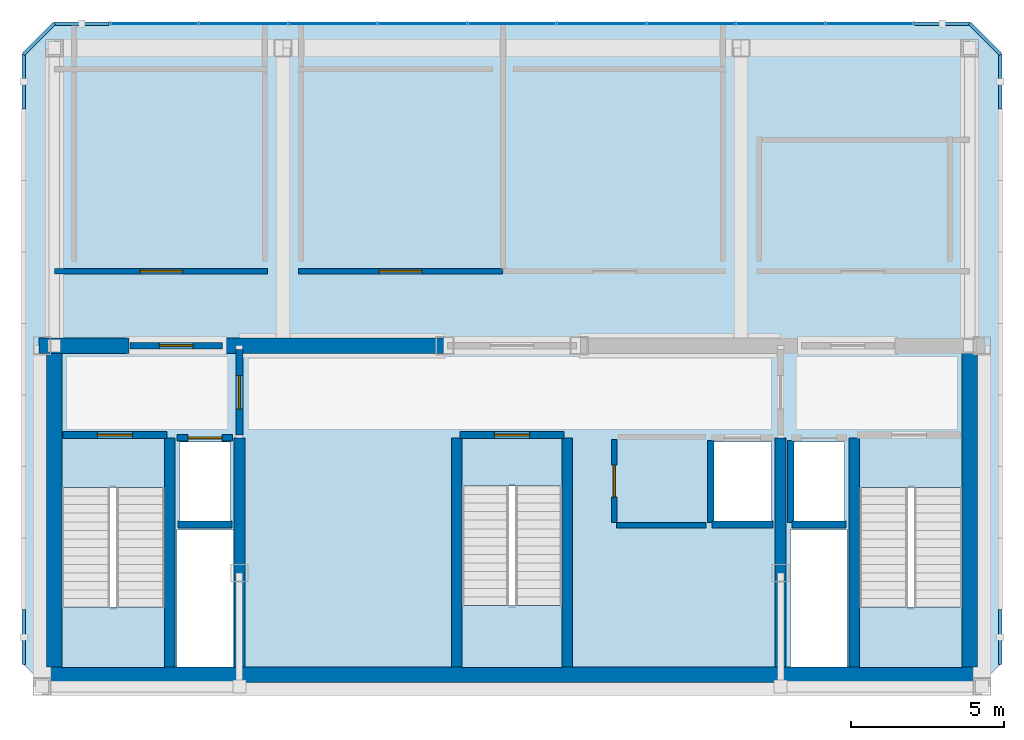
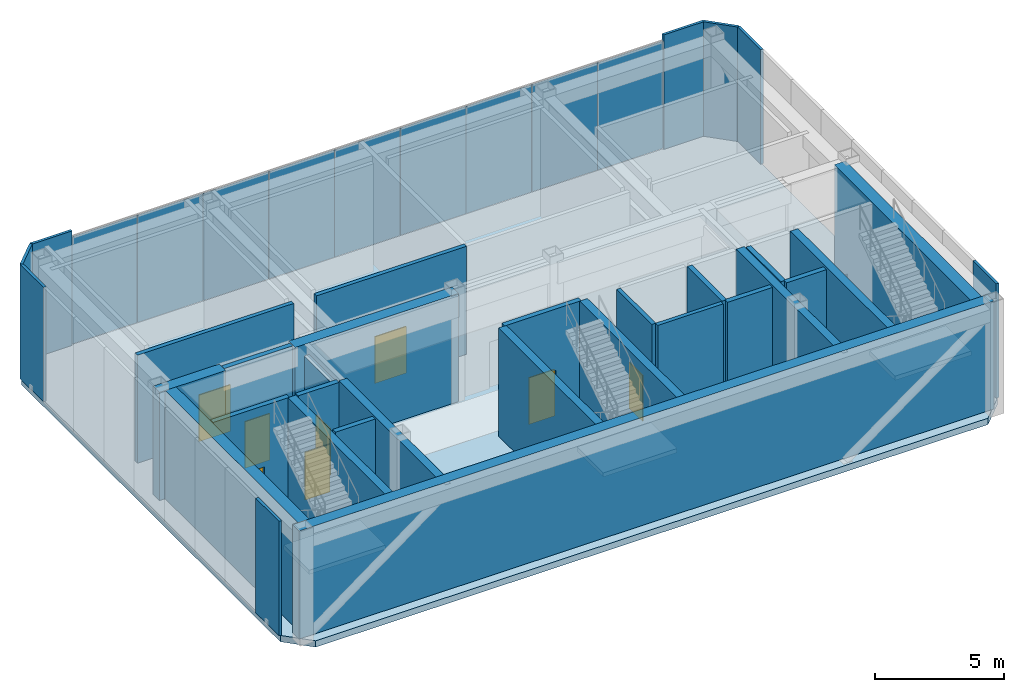
# One storey, part 7 of 10: 25 walls, 17 plates, 8 doors, 4 slabs, 8 openings, 4 elements without a shape of their own.
"""IFC4 building model written with IfcOpenShell, lengths in metres."""

from ifc_helpers import new_model, si_unit, direction, frame, frame_2d, origin, origin_2d, place, context, subcontext, project, spatial, polyline, rectangle, outline, extrude, material, layer, layer_set, type_object, element, fill, aggregate, save


model = new_model("IFC4")

# Units and contexts
model_context = context("Model", 3, precision=1e-05, world=origin(), true_north=direction((0.0, 1.0)))
body_context = subcontext(model_context, "Body", "Model", "MODEL_VIEW")
ifc_project = project(units=[si_unit("LENGTHUNIT", "METRE"), si_unit("AREAUNIT", "SQUARE_METRE"), si_unit("VOLUMEUNIT", "CUBIC_METRE"), si_unit("PLANEANGLEUNIT", "RADIAN"), si_unit("MASSUNIT", "GRAM", prefix="KILO")], contexts=[model_context])

# Site, building, storey
site_placement = place(None, origin())
site = spatial("IfcSite", under=ifc_project, at=site_placement, CompositionType="ELEMENT")
building_placement = place(site_placement, origin())
building = spatial("IfcBuilding", under=site, at=building_placement, Name="Ventersveld Concourse Tower", CompositionType="ELEMENT")
storey_placement = place(building_placement, frame((0.0, 0.0, 382.85009765625)))
storey = spatial("IfcBuildingStorey", under=building, at=storey_placement, Name="L93", CompositionType="ELEMENT", Elevation=382.85009765625)

# Curtain wall, plates
ifc_material_1 = material(Name="Anodised aluminium EN AW-6063-T6", Category="aluminium")
curtain_wall_type = type_object("IfcCurtainWallType", Name="CW-CRN-6", PredefinedType="NOTDEFINED", material=ifc_material_1)
curtain_wall_placement = place(storey_placement, origin())
curtain_wall = element("IfcCurtainWall", 1, at=curtain_wall_placement, inside=storey, type_object=curtain_wall_type, Name="L93 L93 Crown North Glazed Curtain Wall", PredefinedType="NOTDEFINED")
ifc_material_2 = material(Name="Low-E double glazing IGU", Category="glass")
ifc_layer_1 = layer(ifc_material_2, 0.02392578125)
ifc_layer_set_1 = layer_set([ifc_layer_1], Name="Low-E double glazing IGU")
plate_type_1 = type_object("IfcPlateType", Name="CWP-GLZ-24", PredefinedType="CURTAIN_PANEL", material=ifc_layer_set_1)
plate_1_placement = place(storey_placement, frame((40.4833984375, 22.0, 0.019775390625), z_axis=(0.0, 0.0, 1.0), x_axis=(-1.0, 0.0, 0.0)))
plate_1 = element("IfcPlate", 2, at=plate_1_placement, type_object=plate_type_1, Name="CW-L93-N Glazed Panel 01-1", PredefinedType="CURTAIN_PANEL", context=body_context, shape_type="SweptSolid", body=[
    extrude(rectangle(XDim=2.92333984375, YDim=0.02392578125, at=origin_2d()), origin(), (0.0, 0.0, 1.0), 5.06005859375),
])
plate_2_placement = place(storey_placement, frame((37.550048828125, 22.0, 0.019775390625), z_axis=(0.0, 0.0, 1.0), x_axis=(-1.0, 0.0, 0.0)))
plate_2 = element("IfcPlate", 3, at=plate_2_placement, type_object=plate_type_1, Name="CW-L93-N Glazed Panel 02-1", PredefinedType="CURTAIN_PANEL", context=body_context, shape_type="SweptSolid", body=[
    extrude(rectangle(XDim=2.92333984375, YDim=0.02392578125, at=origin_2d()), origin(), (0.0, 0.0, 1.0), 5.06005859375),
])
plate_3_placement = place(storey_placement, frame((34.61669921875, 22.0, 0.019775390625), z_axis=(0.0, 0.0, 1.0), x_axis=(-1.0, 0.0, 0.0)))
plate_3 = element("IfcPlate", 4, at=plate_3_placement, type_object=plate_type_1, Name="CW-L93-N Glazed Panel 03-1", PredefinedType="CURTAIN_PANEL", context=body_context, shape_type="SweptSolid", body=[
    extrude(rectangle(XDim=2.92333984375, YDim=0.02392578125, at=origin_2d()), origin(), (0.0, 0.0, 1.0), 5.06005859375),
])
plate_4_placement = place(storey_placement, frame((31.683349609375, 22.0, 0.019775390625), z_axis=(0.0, 0.0, 1.0), x_axis=(-1.0, 0.0, 0.0)))
plate_4 = element("IfcPlate", 5, at=plate_4_placement, type_object=plate_type_1, Name="CW-L93-N Glazed Panel 04-1", PredefinedType="CURTAIN_PANEL", context=body_context, shape_type="SweptSolid", body=[
    extrude(rectangle(XDim=2.92333984375, YDim=0.02392578125, at=origin_2d()), origin(), (0.0, 0.0, 1.0), 5.06005859375),
])
plate_5_placement = place(storey_placement, frame((28.75, 22.0, 0.019775390625), z_axis=(0.0, 0.0, 1.0), x_axis=(-1.0, 0.0, 0.0)))
plate_5 = element("IfcPlate", 6, at=plate_5_placement, type_object=plate_type_1, Name="CW-L93-N Glazed Panel 05-1", PredefinedType="CURTAIN_PANEL", context=body_context, shape_type="SweptSolid", body=[
    extrude(rectangle(XDim=2.92333984375, YDim=0.02392578125, at=origin_2d()), origin(), (0.0, 0.0, 1.0), 5.06005859375),
])
plate_6_placement = place(storey_placement, frame((25.816650390625, 22.0, 0.019775390625), z_axis=(0.0, 0.0, 1.0), x_axis=(-1.0, 0.0, 0.0)))
plate_6 = element("IfcPlate", 7, at=plate_6_placement, type_object=plate_type_1, Name="CW-L93-N Glazed Panel 06-1", PredefinedType="CURTAIN_PANEL", context=body_context, shape_type="SweptSolid", body=[
    extrude(rectangle(XDim=2.92333984375, YDim=0.02392578125, at=origin_2d()), origin(), (0.0, 0.0, 1.0), 5.06005859375),
])
plate_7_placement = place(storey_placement, frame((22.88330078125, 22.0, 0.019775390625), z_axis=(0.0, 0.0, 1.0), x_axis=(-1.0, 0.0, 0.0)))
plate_7 = element("IfcPlate", 8, at=plate_7_placement, type_object=plate_type_1, Name="CW-L93-N Glazed Panel 07-1", PredefinedType="CURTAIN_PANEL", context=body_context, shape_type="SweptSolid", body=[
    extrude(rectangle(XDim=2.92333984375, YDim=0.02392578125, at=origin_2d()), origin(), (0.0, 0.0, 1.0), 5.06005859375),
])
plate_8_placement = place(storey_placement, frame((19.949951171875, 22.0, 0.019775390625), z_axis=(0.0, 0.0, 1.0), x_axis=(-1.0, 0.0, 0.0)))
plate_8 = element("IfcPlate", 9, at=plate_8_placement, type_object=plate_type_1, Name="CW-L93-N Glazed Panel 08-1", PredefinedType="CURTAIN_PANEL", context=body_context, shape_type="SweptSolid", body=[
    extrude(rectangle(XDim=2.92333984375, YDim=0.02392578125, at=origin_2d()), origin(), (0.0, 0.0, 1.0), 5.06005859375),
])
plate_9_placement = place(storey_placement, frame((17.0166015625, 22.0, 0.019775390625), z_axis=(0.0, 0.0, 1.0), x_axis=(-1.0, 0.0, 0.0)))
plate_9 = element("IfcPlate", 10, at=plate_9_placement, type_object=plate_type_1, Name="CW-L93-N Glazed Panel 09-1", PredefinedType="CURTAIN_PANEL", context=body_context, shape_type="SweptSolid", body=[
    extrude(rectangle(XDim=2.92333984375, YDim=0.02392578125, at=origin_2d()), origin(), (0.0, 0.0, 1.0), 5.06005859375),
])
aggregate(curtain_wall, [plate_1, plate_2, plate_3, plate_4, plate_5, plate_6, plate_7, plate_8, plate_9])

# Plates
ifc_material_3 = material(Name="Precast concrete C45/55", Category="concrete")
ifc_layer_2 = layer(ifc_material_3, 0.1201171875)
ifc_layer_set_2 = layer_set([ifc_layer_2], Name="Precast concrete C45/55")
plate_type_2 = type_object("IfcPlateType", Name="PL-CLAD-120", PredefinedType="SHEET", material=ifc_layer_set_2)
for number, where, z_axis, x_axis, name in (
    (11, (44.75, 1.89990234375, 0.0), (0.0, 0.0, 1.0), (0.0, 1.0, 0.0), "L93 Crown Precast Pier Cladding E3-P1"),
    (12, (44.75, 20.10009765625, 0.0), (0.0, 0.0, 1.0), (0.0, 1.0, 0.0), "L93 Crown Precast Pier Cladding E3-P2"),
):
    element("IfcPlate", number, at=place(storey_placement, frame(where, z_axis=z_axis, x_axis=x_axis)), inside=storey, type_object=plate_type_2, Name=name, PredefinedType="SHEET", context=body_context, shape_type="SweptSolid", body=[
        extrude(rectangle(XDim=1.800048828125, YDim=0.1201171875, at=origin_2d()), origin(), (0.0, 0.0, 1.0), 5.39990234375),
    ])
plate_10_placement = place(storey_placement, frame((44.25, 21.5, 0.0), z_axis=(0.0, 0.0, 1.0), x_axis=(-0.707106781187, 0.707106781187, 0.0)))
element("IfcPlate", 13, at=plate_10_placement, inside=storey, type_object=plate_type_2, Name="L93 Crown Chamfer Precast Cladding Sheet E4", PredefinedType="SHEET", context=body_context, shape_type="SweptSolid", body=[
    extrude(rectangle(XDim=1.414306640625, YDim=0.1201171875, at=origin_2d()), origin(), (0.0, 0.0, 1.0), 5.39990234375),
])
for number, where, z_axis, x_axis, name in (
    (14, (42.85009765625, 22.0, 0.0), (0.0, 0.0, 1.0), (-1.0, 0.0, 0.0), "L93 Crown Precast Pier Cladding E5-P1"),
    (15, (14.64990234375, 22.0, 0.0), (0.0, 0.0, 1.0), (-1.0, 0.0, 0.0), "L93 Crown Precast Pier Cladding E5-P2"),
):
    element("IfcPlate", number, at=place(storey_placement, frame(where, z_axis=z_axis, x_axis=x_axis)), inside=storey, type_object=plate_type_2, Name=name, PredefinedType="SHEET", context=body_context, shape_type="SweptSolid", body=[
        extrude(rectangle(XDim=1.800048828125, YDim=0.1201171875, at=origin_2d()), origin(), (0.0, 0.0, 1.0), 5.39990234375),
    ])
plate_11_placement = place(storey_placement, frame((13.25, 21.5, 0.0), z_axis=(0.0, 0.0, 1.0), x_axis=(-0.707106781187, -0.707106781187, 0.0)))
element("IfcPlate", 16, at=plate_11_placement, inside=storey, type_object=plate_type_2, Name="L93 Crown Chamfer Precast Cladding Sheet E6", PredefinedType="SHEET", context=body_context, shape_type="SweptSolid", body=[
    extrude(rectangle(XDim=1.414306640625, YDim=0.1201171875, at=origin_2d()), origin(), (0.0, 0.0, 1.0), 5.39990234375),
])
for number, where, z_axis, x_axis, name in (
    (17, (12.75, 20.10009765625, 0.0), (0.0, 0.0, 1.0), (0.0, -1.0, 0.0), "L93 Crown Precast Pier Cladding E7-P1"),
    (18, (12.75, 1.89990234375, 0.0), (0.0, 0.0, 1.0), (0.0, -1.0, 0.0), "L93 Crown Precast Pier Cladding E7-P2"),
):
    element("IfcPlate", number, at=place(storey_placement, frame(where, z_axis=z_axis, x_axis=x_axis)), inside=storey, type_object=plate_type_2, Name=name, PredefinedType="SHEET", context=body_context, shape_type="SweptSolid", body=[
        extrude(rectangle(XDim=1.800048828125, YDim=0.1201171875, at=origin_2d()), origin(), (0.0, 0.0, 1.0), 5.39990234375),
    ])

# Slab
ifc_material_4 = material(Name="Concrete C50/60", Category="concrete")
ifc_layer_3 = layer(ifc_material_4, 0.300048828125)
ifc_layer_set_3 = layer_set([ifc_layer_3], Name="Concrete C50/60")
slab_type_1 = type_object("IfcSlabType", Name="SL-FLR-300", PredefinedType="FLOOR", material=ifc_layer_set_3)
slab_1_placement = place(storey_placement, frame((0.0, 0.0, -0.300048828125)))
element("IfcSlab", 19, at=slab_1_placement, inside=storey, type_object=slab_type_1, Name="L93 Composite Floor Slab", PredefinedType="FLOOR", context=body_context, shape_type="SweptSolid", body=[
    extrude(outline(polyline([(13.75, 0.0), (43.75, 0.0), (44.75, 1.0), (44.75, 21.0), (43.75, 22.0), (13.75, 22.0), (12.75, 21.0), (12.75, 1.0), (13.75, 0.0)]), holes=[polyline([(13.97998046875, 6.794921875), (13.97998046875, 0.89990234375), (17.3798828125, 0.89990234375), (17.3798828125, 6.794921875), (13.97998046875, 6.794921875)]), polyline([(40.1201171875, 6.794921875), (40.1201171875, 0.89990234375), (43.52001953125, 0.89990234375), (43.52001953125, 6.794921875), (40.1201171875, 6.794921875)]), polyline([(27.10009765625, 6.844970703125), (27.10009765625, 0.89990234375), (30.39990234375, 0.89990234375), (30.39990234375, 6.844970703125), (27.10009765625, 6.844970703125)]), polyline([(17.85009765625, 5.699951171875), (19.530029296875, 5.699951171875), (19.530029296875, 8.300048828125), (17.85009765625, 8.300048828125), (17.85009765625, 5.699951171875)]), polyline([(37.969970703125, 5.699951171875), (39.64990234375, 5.699951171875), (39.64990234375, 8.300048828125), (37.969970703125, 8.300048828125), (37.969970703125, 5.699951171875)]), polyline([(35.35009765625, 5.699951171875), (37.25, 5.699951171875), (37.25, 8.300048828125), (35.35009765625, 8.300048828125), (35.35009765625, 5.699951171875)]), polyline([(17.780029296875, 0.919921875), (19.6201171875, 0.919921875), (19.6201171875, 5.419921875), (17.780029296875, 5.419921875), (17.780029296875, 0.919921875)]), polyline([(37.8798828125, 0.919921875), (39.719970703125, 0.919921875), (39.719970703125, 5.419921875), (37.8798828125, 5.419921875), (37.8798828125, 0.919921875)])]), origin(), (0.0, 0.0, 1.0), 0.300048828125),
])

# Stair, slab
stair_type_1 = type_object("IfcStairType", Name="ST-DOG-160", PredefinedType="HALF_TURN_STAIR", material=ifc_material_4)
stair_1_placement = place(storey_placement, origin())
stair_1 = element("IfcStair", 20, at=stair_1_placement, inside=storey, type_object=stair_type_1, Name="L93 Protected Tower Escape Stair ST-01", PredefinedType="HALF_TURN_STAIR")
ifc_layer_4 = layer(ifc_material_4, 0.199951171875)
ifc_layer_set_4 = layer_set([ifc_layer_4], Name="Concrete C50/60")
slab_type_2 = type_object("IfcSlabType", Name="SL-LND-200", PredefinedType="LANDING", material=ifc_layer_set_4)
slab_2_placement = place(storey_placement, frame((0.0, 0.0, 2.5)))
slab_2 = element("IfcSlab", 21, at=slab_2_placement, type_object=slab_type_2, Name="ST-01 landing 1", PredefinedType="LANDING", context=body_context, shape_type="SweptSolid", body=[
    extrude(outline(polyline([(13.97998046875, 2.8798828125), (13.97998046875, 0.89990234375), (17.3798828125, 0.89990234375), (17.3798828125, 2.8798828125), (13.97998046875, 2.8798828125)])), origin(), (0.0, 0.0, 1.0), 0.199951171875),
])
aggregate(stair_1, [slab_2])

stair_2_placement = place(storey_placement, origin())
stair_2 = element("IfcStair", 22, at=stair_2_placement, inside=storey, type_object=stair_type_1, Name="L93 Protected Tower Escape Stair ST-02", PredefinedType="HALF_TURN_STAIR")
slab_3_placement = place(storey_placement, frame((0.0, 0.0, 2.5)))
slab_3 = element("IfcSlab", 23, at=slab_3_placement, type_object=slab_type_2, Name="ST-02 landing 1", PredefinedType="LANDING", context=body_context, shape_type="SweptSolid", body=[
    extrude(outline(polyline([(40.1201171875, 2.8798828125), (40.1201171875, 0.89990234375), (43.52001953125, 0.89990234375), (43.52001953125, 2.8798828125), (40.1201171875, 2.8798828125)])), origin(), (0.0, 0.0, 1.0), 0.199951171875),
])
aggregate(stair_2, [slab_3])

stair_type_2 = type_object("IfcStairType", Name="ST-DOG-155", PredefinedType="HALF_TURN_STAIR", material=ifc_material_4)
stair_3_placement = place(storey_placement, origin())
stair_3 = element("IfcStair", 24, at=stair_3_placement, inside=storey, type_object=stair_type_2, Name="L93 Protected Central Core Escape Stair ST-03", PredefinedType="HALF_TURN_STAIR")
slab_4_placement = place(storey_placement, frame((0.0, 0.0, 2.5)))
slab_4 = element("IfcSlab", 25, at=slab_4_placement, type_object=slab_type_2, Name="ST-03 landing 1", PredefinedType="LANDING", context=body_context, shape_type="SweptSolid", body=[
    extrude(outline(polyline([(27.10009765625, 2.929931640625), (27.10009765625, 0.89990234375), (30.39990234375, 0.89990234375), (30.39990234375, 2.929931640625), (27.10009765625, 2.929931640625)])), origin(), (0.0, 0.0, 1.0), 0.199951171875),
])
aggregate(stair_3, [slab_4])

# Walls
ifc_layer_5 = layer(ifc_material_4, 0.35009765625)
ifc_layer_set_5 = layer_set([ifc_layer_5], Name="Concrete C50/60")
wall_type_1 = type_object("IfcWallType", Name="WL-CORE-350U", PredefinedType="SHEAR", material=ifc_layer_set_5)
for number, where, z_axis, x_axis, name in (
    (26, (17.5400390625, 0.919921875, 0.0), (0.0, 0.0, 1.0), (0.0, 1.0, 0.0), "L93 Core Internal Shear Web W-ST1-E"),
    (27, (19.820068359375, 0.919921875, 0.0), (0.0, 0.0, 1.0), (0.0, 1.0, 0.0), "L93 Core Internal Shear Web W-FF1-E"),
    (28, (26.93994140625, 0.919921875, 0.0), (0.0, 0.0, 1.0), (0.0, 1.0, 0.0), "L93 Core Internal Shear Web W-ST3-W"),
    (29, (30.56005859375, 0.919921875, 0.0), (0.0, 0.0, 1.0), (0.0, 1.0, 0.0), "L93 Core Internal Shear Web W-ST3-E"),
    (30, (37.550048828125, 0.919921875, 0.0), (0.0, 0.0, 1.0), (0.0, 1.0, 0.0), "L93 Core Internal Shear Web W-SVL-W"),
    (31, (39.9599609375, 0.919921875, 0.0), (0.0, 0.0, 1.0), (0.0, 1.0, 0.0), "L93 Core Internal Shear Web W-ST2-W"),
):
    element("IfcWall", number, at=place(storey_placement, frame(where, z_axis=z_axis, x_axis=x_axis)), inside=storey, type_object=wall_type_1, Name=name, PredefinedType="SHEAR", context=body_context, shape_type="SweptSolid", body=[
        extrude(rectangle(XDim=7.5, YDim=0.35009765625, at=frame_2d((3.75, 0.0))), origin(), (0.0, 0.0, 1.0), 5.099853515625),
    ])
ifc_layer_6 = layer(ifc_material_4, 0.5)
ifc_layer_set_6 = layer_set([ifc_layer_6], Name="Concrete C50/60")
wall_type_2 = type_object("IfcWallType", Name="WL-CORE-500", PredefinedType="SHEAR", material=ifc_layer_set_6)
wall_1_placement = place(storey_placement, frame((13.25, 0.669921875, 0.0), z_axis=(0.0, 0.0, 1.0), x_axis=(1.0, 0.0, 0.0)))
element("IfcWall", 32, at=wall_1_placement, inside=storey, type_object=wall_type_2, Name="L93 Rear Core South Shear Wall", PredefinedType="SHEAR", context=body_context, shape_type="SweptSolid", body=[
    extrude(rectangle(XDim=31.0, YDim=0.5, at=frame_2d((15.5, 0.0))), origin(), (0.0, 0.0, 1.0), 5.099853515625),
])
for number, where, z_axis, x_axis, name in (
    (33, (13.75, 0.919921875, 0.0), (0.0, 0.0, 1.0), (0.0, 1.0, 0.0), "L93 Rear Core West Shear Wall"),
    (34, (43.75, 0.919921875, 0.0), (0.0, 0.0, 1.0), (0.0, 1.0, 0.0), "L93 Rear Core East Shear Wall"),
):
    element("IfcWall", number, at=place(storey_placement, frame(where, z_axis=z_axis, x_axis=x_axis)), inside=storey, type_object=wall_type_2, Name=name, PredefinedType="SHEAR", context=body_context, shape_type="SweptSolid", body=[
        extrude(rectangle(XDim=10.530029296875, YDim=0.5, at=frame_2d((5.26513671875, 0.0))), origin(), (0.0, 0.0, 1.0), 5.099853515625),
    ])
wall_2_placement = place(storey_placement, frame((13.25, 11.449951171875, 0.0), z_axis=(0.0, 0.0, 1.0), x_axis=(1.0, 0.0, 0.0)))
element("IfcWall", 35, at=wall_2_placement, inside=storey, type_object=wall_type_2, Name="L93 Rear Core North Shear Wall NW", PredefinedType="SHEAR", context=body_context, shape_type="SweptSolid", body=[
    extrude(rectangle(XDim=2.949951171875, YDim=0.5, at=frame_2d((1.47509765625, 0.0))), origin(), (0.0, 0.0, 1.0), 5.099853515625),
])
wall_3_placement = place(storey_placement, frame((19.300048828125, 11.449951171875, 0.0), z_axis=(0.0, 0.0, 1.0), x_axis=(1.0, 0.0, 0.0)))
element("IfcWall", 36, at=wall_3_placement, inside=storey, type_object=wall_type_2, Name="L93 Rear Core North Shear Wall NML", PredefinedType="SHEAR", context=body_context, shape_type="SweptSolid", body=[
    extrude(rectangle(XDim=7.300048828125, YDim=0.5, at=frame_2d((3.64990234375, 0.0))), origin(), (0.0, 0.0, 1.0), 5.099853515625),
])

# Wall, opening, door
ifc_material_5 = material(Name="Fire-rated autoclaved aerated masonry blockwork", Category="masonry")
ifc_layer_7 = layer(ifc_material_5, 0.179931640625)
ifc_layer_set_7 = layer_set([ifc_layer_7], Name="Fire-rated autoclaved aerated masonry blockwork")
wall_type_3 = type_object("IfcWallType", Name="WL-CORR-180", PredefinedType="PARTITIONING", material=ifc_layer_set_7)
wall_4_placement = place(storey_placement, frame((32.10009765625, 5.64990234375, 0.0), z_axis=(0.0, 0.0, 1.0), x_axis=(0.0, 1.0, 0.0)))
wall_4 = element("IfcWall", 37, at=wall_4_placement, inside=storey, type_object=wall_type_3, Name="L93 Core Passage Wall SP-L93-CBAY1", PredefinedType="PARTITIONING", context=body_context, shape_type="SweptSolid", body=[
    extrude(rectangle(XDim=2.72998046875, YDim=0.179931640625, at=frame_2d((1.364990234375, 0.0))), origin(), (0.0, 0.0, 1.0), 5.099853515625),
])
opening_1_placement = place(wall_4_placement, frame((0.840087890625, 0.0, 0.0)))
opening_1 = element("IfcOpeningElement", 38, at=opening_1_placement, cuts=wall_4, Name="Opening ID3", PredefinedType="OPENING", context=body_context, shape_type="SweptSolid", body=[
    extrude(rectangle(XDim=1.050048828125, YDim=2.14990234375, at=frame_2d((0.52490234375, 1.074951171875))), frame((0.0, 0.10009765625, 0.0), z_axis=(0.0, -1.0, 0.0), x_axis=(1.0, 0.0, 0.0)), (0.0, 0.0, 1.0), 0.199951171875),
])
ifc_material_6 = material(Name="Solid-core hardwood veneer timber", Category="wood")
door_type_1 = type_object("IfcDoorType", Name="DR-AWC-105", OperationType="NOTDEFINED", PredefinedType="DOOR", material=ifc_material_6)
door_1_placement = place(opening_1_placement, origin())
door_1 = element("IfcDoor", 39, at=door_1_placement, inside=storey, type_object=door_type_1, Name="L93 Core Room Door L93 Core Unisex Accessible WC (CD-L93-4002)", OperationType="SINGLE_SWING_LEFT", OverallHeight=2.14990234375, OverallWidth=1.050048828125, PredefinedType="DOOR", context=body_context, shape_type="SweptSolid", body=[
    extrude(rectangle(XDim=1.050048828125, YDim=2.14990234375, at=frame_2d((0.52490234375, 1.074951171875))), frame((0.0, 0.02490234375, 0.0), z_axis=(0.0, -1.0, 0.0), x_axis=(1.0, 0.0, 0.0)), (0.0, 0.0, 1.0), 0.050048828125),
])
fill(opening_1, door_1)

# Wall
wall_5_placement = place(storey_placement, frame((32.179931640625, 5.570068359375, 0.0), z_axis=(0.0, 0.0, 1.0), x_axis=(1.0, 0.0, 0.0)))
element("IfcWall", 40, at=wall_5_placement, inside=storey, type_object=wall_type_3, Name="L93 Core Bot Wall SP-L93-CBAY1", PredefinedType="PARTITIONING", context=body_context, shape_type="SweptSolid", body=[
    extrude(rectangle(XDim=2.920166015625, YDim=0.179931640625, at=frame_2d((1.4599609375, 0.0))), origin(), (0.0, 0.0, 1.0), 5.099853515625),
])

# Wall, opening, door
wall_6_placement = place(storey_placement, frame((13.76806640625, 13.889892578125, 0.0), z_axis=(0.0, 0.0, 1.0), x_axis=(1.0, 0.0, 0.0)))
wall_6 = element("IfcWall", 41, at=wall_6_placement, inside=storey, type_object=wall_type_3, Name="L93 Interior Partition SP-L93-PCOR-SP-L93-TX", PredefinedType="PARTITIONING", context=body_context, shape_type="SweptSolid", body=[
    extrude(rectangle(XDim=6.97705078125, YDim=0.179931640625, at=frame_2d((3.488525390625, 0.0))), origin(), (0.0, 0.0, 1.0), 5.099853515625),
])
opening_2_placement = place(wall_6_placement, frame((2.78857421875, 0.0, 0.0)))
opening_2 = element("IfcOpeningElement", 42, at=opening_2_placement, cuts=wall_6, Name="Opening FD4", PredefinedType="OPENING", context=body_context, shape_type="SweptSolid", body=[
    extrude(rectangle(XDim=1.39990234375, YDim=2.199951171875, at=frame_2d((0.699951171875, 1.10009765625))), frame((0.0, 0.10009765625, 0.0), z_axis=(0.0, -1.0, 0.0), x_axis=(1.0, 0.0, 0.0)), (0.0, 0.0, 1.0), 0.199951171875),
])
ifc_material_7 = material(Name="Galvanised painted steel", Category="steel")
door_type_2 = type_object("IfcDoorType", Name="DR-PLANT-140", OperationType="DOUBLE_DOOR_SINGLE_SWING", PredefinedType="DOOR", material=ifc_material_7)
door_2_placement = place(opening_2_placement, origin())
door_2 = element("IfcDoor", 43, at=door_2_placement, inside=storey, type_object=door_type_2, Name="L93 Interior Door SP-L93-PCOR to SP-L93-TX (FD-L93-4003)", OperationType="DOUBLE_DOOR_SINGLE_SWING", OverallHeight=2.199951171875, OverallWidth=1.39990234375, PredefinedType="DOOR", context=body_context, shape_type="SweptSolid", body=[
    extrude(rectangle(XDim=1.39990234375, YDim=2.199951171875, at=frame_2d((0.699951171875, 1.10009765625))), frame((0.0, 0.02490234375, 0.0), z_axis=(0.0, -1.0, 0.0), x_axis=(1.0, 0.0, 0.0)), (0.0, 0.0, 1.0), 0.050048828125),
])
fill(opening_2, door_2)

wall_7_placement = place(storey_placement, frame((21.7548828125, 13.889892578125, 0.0), z_axis=(0.0, 0.0, 1.0), x_axis=(1.0, 0.0, 0.0)))
wall_7 = element("IfcWall", 44, at=wall_7_placement, inside=storey, type_object=wall_type_3, Name="L93 Interior Partition SP-L93-PCOR-SP-L93-UPS", PredefinedType="PARTITIONING", context=body_context, shape_type="SweptSolid", body=[
    extrude(rectangle(XDim=6.690185546875, YDim=0.179931640625, at=frame_2d((3.34521484375, 0.0))), origin(), (0.0, 0.0, 1.0), 5.099853515625),
])
opening_3_placement = place(wall_7_placement, frame((2.64501953125, 0.0, 0.0)))
opening_3 = element("IfcOpeningElement", 45, at=opening_3_placement, cuts=wall_7, Name="Opening FD4", PredefinedType="OPENING", context=body_context, shape_type="SweptSolid", body=[
    extrude(rectangle(XDim=1.39990234375, YDim=2.199951171875, at=frame_2d((0.699951171875, 1.10009765625))), frame((0.0, 0.10009765625, 0.0), z_axis=(0.0, -1.0, 0.0), x_axis=(1.0, 0.0, 0.0)), (0.0, 0.0, 1.0), 0.199951171875),
])
door_3_placement = place(opening_3_placement, origin())
door_3 = element("IfcDoor", 46, at=door_3_placement, inside=storey, type_object=door_type_2, Name="L93 Interior Door SP-L93-PCOR to SP-L93-UPS (FD-L93-4004)", OperationType="DOUBLE_DOOR_SINGLE_SWING", OverallHeight=2.199951171875, OverallWidth=1.39990234375, PredefinedType="DOOR", context=body_context, shape_type="SweptSolid", body=[
    extrude(rectangle(XDim=1.39990234375, YDim=2.199951171875, at=frame_2d((0.699951171875, 1.10009765625))), frame((0.0, 0.02490234375, 0.0), z_axis=(0.0, -1.0, 0.0), x_axis=(1.0, 0.0, 0.0)), (0.0, 0.0, 1.0), 0.050048828125),
])
fill(opening_3, door_3)

# Wall
ifc_layer_8 = layer(ifc_material_5, 0.219970703125)
ifc_layer_set_8 = layer_set([ifc_layer_8], Name="Fire-rated autoclaved aerated masonry blockwork")
wall_type_4 = type_object("IfcWallType", Name="WL-HOIST-220", PredefinedType="SOLIDWALL", material=ifc_layer_set_8)
wall_8_placement = place(storey_placement, frame((17.800048828125, 5.590087890625, 0.0), z_axis=(0.0, 0.0, 1.0), x_axis=(1.0, 0.0, 0.0)))
element("IfcWall", 47, at=wall_8_placement, inside=storey, type_object=wall_type_4, Name="L93 Lift Hoistway Back Wall FFL-01", PredefinedType="SOLIDWALL", context=body_context, shape_type="SweptSolid", body=[
    extrude(rectangle(XDim=1.780029296875, YDim=0.219970703125, at=frame_2d((0.89013671875, 0.0))), origin(), (0.0, 0.0, 1.0), 5.099853515625),
])

# Wall, opening, door
wall_9_placement = place(storey_placement, frame((17.780029296875, 8.429931640625, 0.0), z_axis=(0.0, 0.0, 1.0), x_axis=(1.0, 0.0, 0.0)))
wall_9 = element("IfcWall", 48, at=wall_9_placement, inside=storey, type_object=wall_type_4, Name="L93 Lift Hoistway Front Wall FFL-01", PredefinedType="SOLIDWALL", context=body_context, shape_type="SweptSolid", body=[
    extrude(rectangle(XDim=1.820068359375, YDim=0.219970703125, at=frame_2d((0.91015625, 0.0))), origin(), (0.0, 0.0, 1.0), 5.099853515625),
])
opening_4_placement = place(wall_9_placement, frame((0.35009765625, 0.0, 0.0)))
opening_4 = element("IfcOpeningElement", 49, at=opening_4_placement, cuts=wall_9, Name="Opening LD1", PredefinedType="OPENING", context=body_context, shape_type="SweptSolid", body=[
    extrude(rectangle(XDim=1.1201171875, YDim=2.25, at=frame_2d((0.56005859375, 1.125))), frame((0.0, 0.1201171875, 0.0), z_axis=(0.0, -1.0, 0.0), x_axis=(1.0, 0.0, 0.0)), (0.0, 0.0, 1.0), 0.239990234375),
])
ifc_material_8 = material(Name="Brushed stainless steel 316", Category="steel")
door_type_3 = type_object("IfcDoorType", Name="LD-FF-112", OperationType="SLIDING_TO_LEFT", PredefinedType="DOOR", material=ifc_material_8)
door_4_placement = place(opening_4_placement, origin())
door_4 = element("IfcDoor", 50, at=door_4_placement, inside=storey, type_object=door_type_3, Name="L93 Lift landing door FFL-01 (LD-L93-FFL-01)", OperationType="SLIDING_TO_LEFT", OverallHeight=2.25, OverallWidth=1.1201171875, PredefinedType="DOOR", context=body_context, shape_type="SweptSolid", body=[
    extrude(rectangle(XDim=1.1201171875, YDim=2.25, at=frame_2d((0.56005859375, 1.125))), frame((0.0, 0.02490234375, 0.0), z_axis=(0.0, -1.0, 0.0), x_axis=(1.0, 0.0, 0.0)), (0.0, 0.0, 1.0), 0.050048828125),
])
fill(opening_4, door_4)

# Walls
wall_10_placement = place(storey_placement, frame((37.919921875, 5.590087890625, 0.0), z_axis=(0.0, 0.0, 1.0), x_axis=(1.0, 0.0, 0.0)))
element("IfcWall", 51, at=wall_10_placement, inside=storey, type_object=wall_type_4, Name="L93 Lift Hoistway Back Wall FFL-02", PredefinedType="SOLIDWALL", context=body_context, shape_type="SweptSolid", body=[
    extrude(rectangle(XDim=1.780029296875, YDim=0.219970703125, at=frame_2d((0.89013671875, 0.0))), origin(), (0.0, 0.0, 1.0), 5.099853515625),
])
wall_11_placement = place(storey_placement, frame((37.8798828125, 5.64990234375, 0.0), z_axis=(0.0, 0.0, 1.0), x_axis=(0.0, 1.0, 0.0)))
element("IfcWall", 52, at=wall_11_placement, inside=storey, type_object=wall_type_4, Name="L93 Lift Hoistway Side Wall FFL-02W", PredefinedType="SOLIDWALL", context=body_context, shape_type="SweptSolid", body=[
    extrude(rectangle(XDim=2.7001953125, YDim=0.219970703125, at=frame_2d((1.35009765625, 0.0))), origin(), (0.0, 0.0, 1.0), 5.099853515625),
])
wall_12_placement = place(storey_placement, frame((35.300048828125, 5.590087890625, 0.0), z_axis=(0.0, 0.0, 1.0), x_axis=(1.0, 0.0, 0.0)))
element("IfcWall", 53, at=wall_12_placement, inside=storey, type_object=wall_type_4, Name="L93 Lift Hoistway Back Wall SVL-01", PredefinedType="SOLIDWALL", context=body_context, shape_type="SweptSolid", body=[
    extrude(rectangle(XDim=2.0, YDim=0.219970703125, at=frame_2d((1.0, 0.0))), origin(), (0.0, 0.0, 1.0), 5.099853515625),
])
wall_13_placement = place(storey_placement, frame((35.260009765625, 5.64990234375, 0.0), z_axis=(0.0, 0.0, 1.0), x_axis=(0.0, 1.0, 0.0)))
element("IfcWall", 54, at=wall_13_placement, inside=storey, type_object=wall_type_4, Name="L93 Lift Hoistway Side Wall SVL-01W", PredefinedType="SOLIDWALL", context=body_context, shape_type="SweptSolid", body=[
    extrude(rectangle(XDim=2.7001953125, YDim=0.219970703125, at=frame_2d((1.35009765625, 0.0))), origin(), (0.0, 0.0, 1.0), 5.099853515625),
])

# Wall, opening, door
wall_14_placement = place(storey_placement, frame((14.0400390625, 8.52001953125, 0.0), z_axis=(0.0, 0.0, 1.0), x_axis=(1.0, 0.0, 0.0)))
wall_14 = element("IfcWall", 55, at=wall_14_placement, inside=storey, type_object=wall_type_4, Name="L93 Escape Stair ST01 Fire Wall", PredefinedType="SOLIDWALL", context=body_context, shape_type="SweptSolid", body=[
    extrude(rectangle(XDim=3.39990234375, YDim=0.219970703125, at=frame_2d((1.699951171875, 0.0))), origin(), (0.0, 0.0, 1.0), 5.099853515625),
])
opening_5_placement = place(wall_14_placement, frame((1.125, 0.0, 0.0)))
opening_5 = element("IfcOpeningElement", 56, at=opening_5_placement, cuts=wall_14, Name="Opening FD1", PredefinedType="OPENING", context=body_context, shape_type="SweptSolid", body=[
    extrude(rectangle(XDim=1.14990234375, YDim=2.199951171875, at=frame_2d((0.574951171875, 1.10009765625))), frame((0.0, 0.1201171875, 0.0), z_axis=(0.0, -1.0, 0.0), x_axis=(1.0, 0.0, 0.0)), (0.0, 0.0, 1.0), 0.239990234375),
])
door_type_4 = type_object("IfcDoorType", Name="DR-STAIR-115", OperationType="NOTDEFINED", PredefinedType="DOOR", material=ifc_material_7)
door_5_placement = place(opening_5_placement, origin())
door_5 = element("IfcDoor", 57, at=door_5_placement, inside=storey, type_object=door_type_4, Name="L93 Escape Stair Door ST01 (SD-L93-3994)", OperationType="SINGLE_SWING_LEFT", OverallHeight=2.199951171875, OverallWidth=1.14990234375, PredefinedType="DOOR", context=body_context, shape_type="SweptSolid", body=[
    extrude(rectangle(XDim=1.14990234375, YDim=2.199951171875, at=frame_2d((0.574951171875, 1.10009765625))), frame((0.0, 0.02490234375, 0.0), z_axis=(0.0, -1.0, 0.0), x_axis=(1.0, 0.0, 0.0)), (0.0, 0.0, 1.0), 0.050048828125),
])
fill(opening_5, door_5)

wall_15_placement = place(storey_placement, frame((27.0400390625, 8.52001953125, 0.0), z_axis=(0.0, 0.0, 1.0), x_axis=(1.0, 0.0, 0.0)))
wall_15 = element("IfcWall", 58, at=wall_15_placement, inside=storey, type_object=wall_type_4, Name="L93 Escape Stair ST03 Fire Wall", PredefinedType="SOLIDWALL", context=body_context, shape_type="SweptSolid", body=[
    extrude(rectangle(XDim=3.419921875, YDim=0.219970703125, at=frame_2d((1.7099609375, 0.0))), origin(), (0.0, 0.0, 1.0), 5.099853515625),
])
opening_6_placement = place(wall_15_placement, frame((1.135009765625, 0.0, 0.0)))
opening_6 = element("IfcOpeningElement", 59, at=opening_6_placement, cuts=wall_15, Name="Opening FD1", PredefinedType="OPENING", context=body_context, shape_type="SweptSolid", body=[
    extrude(rectangle(XDim=1.14990234375, YDim=2.199951171875, at=frame_2d((0.574951171875, 1.10009765625))), frame((0.0, 0.1201171875, 0.0), z_axis=(0.0, -1.0, 0.0), x_axis=(1.0, 0.0, 0.0)), (0.0, 0.0, 1.0), 0.239990234375),
])
door_6_placement = place(opening_6_placement, origin())
door_6 = element("IfcDoor", 60, at=door_6_placement, inside=storey, type_object=door_type_4, Name="L93 Escape Stair Door ST03 (SD-L93-3996)", OperationType="SINGLE_SWING_LEFT", OverallHeight=2.199951171875, OverallWidth=1.14990234375, PredefinedType="DOOR", context=body_context, shape_type="SweptSolid", body=[
    extrude(rectangle(XDim=1.14990234375, YDim=2.199951171875, at=frame_2d((0.574951171875, 1.10009765625))), frame((0.0, 0.02490234375, 0.0), z_axis=(0.0, -1.0, 0.0), x_axis=(1.0, 0.0, 0.0)), (0.0, 0.0, 1.0), 0.050048828125),
])
fill(opening_6, door_6)

wall_16_placement = place(storey_placement, frame((19.820068359375, 8.52001953125, 0.0), z_axis=(0.0, 0.0, 1.0), x_axis=(0.0, 1.0, 0.0)))
wall_16 = element("IfcWall", 61, at=wall_16_placement, inside=storey, type_object=wall_type_4, Name="L93 Firefighting Lobby Smoke-Stop Wall FFLW-SEP", PredefinedType="SOLIDWALL", context=body_context, shape_type="SweptSolid", body=[
    extrude(rectangle(XDim=2.800048828125, YDim=0.219970703125, at=frame_2d((1.39990234375, 0.0))), origin(), (0.0, 0.0, 1.0), 4.555419921875),
])
opening_7_placement = place(wall_16_placement, frame((0.85009765625, 0.0, 0.0)))
opening_7 = element("IfcOpeningElement", 62, at=opening_7_placement, cuts=wall_16, Name="Opening FD2", PredefinedType="OPENING", context=body_context, shape_type="SweptSolid", body=[
    extrude(rectangle(XDim=1.10009765625, YDim=2.199951171875, at=frame_2d((0.550048828125, 1.10009765625))), frame((0.0, 0.1201171875, 0.0), z_axis=(0.0, -1.0, 0.0), x_axis=(1.0, 0.0, 0.0)), (0.0, 0.0, 1.0), 0.239990234375),
])
door_type_5 = type_object("IfcDoorType", Name="DR-FFL-110", OperationType="NOTDEFINED", PredefinedType="DOOR", material=ifc_material_7)
door_7_placement = place(opening_7_placement, origin())
door_7 = element("IfcDoor", 63, at=door_7_placement, inside=storey, type_object=door_type_5, Name="L93 Firefighting Lobby Door FFLW-SEP (FD-L93-3997)", OperationType="SINGLE_SWING_LEFT", OverallHeight=2.199951171875, OverallWidth=1.10009765625, PredefinedType="DOOR", context=body_context, shape_type="SweptSolid", body=[
    extrude(rectangle(XDim=1.10009765625, YDim=2.199951171875, at=frame_2d((0.550048828125, 1.10009765625))), frame((0.0, 0.02490234375, 0.0), z_axis=(0.0, -1.0, 0.0), x_axis=(1.0, 0.0, 0.0)), (0.0, 0.0, 1.0), 0.050048828125),
])
fill(opening_7, door_7)

wall_17_placement = place(storey_placement, frame((16.22998046875, 11.449951171875, 0.0), z_axis=(0.0, 0.0, 1.0), x_axis=(1.0, 0.0, 0.0)))
wall_17 = element("IfcWall", 64, at=wall_17_placement, inside=storey, type_object=wall_type_4, Name="L93 Core North Fire Portal FFLW-OUT", PredefinedType="SOLIDWALL", context=body_context, shape_type="SweptSolid", body=[
    extrude(rectangle(XDim=3.0400390625, YDim=0.219970703125, at=frame_2d((1.52001953125, 0.0))), origin(), (0.0, 0.0, 1.0), 5.099853515625),
])
opening_8_placement = place(wall_17_placement, frame((0.969970703125, 0.0, 0.0)))
opening_8 = element("IfcOpeningElement", 65, at=opening_8_placement, cuts=wall_17, Name="Opening FD2", PredefinedType="OPENING", context=body_context, shape_type="SweptSolid", body=[
    extrude(rectangle(XDim=1.10009765625, YDim=2.199951171875, at=frame_2d((0.550048828125, 1.10009765625))), frame((0.0, 0.1201171875, 0.0), z_axis=(0.0, -1.0, 0.0), x_axis=(1.0, 0.0, 0.0)), (0.0, 0.0, 1.0), 0.239990234375),
])
door_8_placement = place(opening_8_placement, origin())
door_8 = element("IfcDoor", 66, at=door_8_placement, inside=storey, type_object=door_type_5, Name="L93 Core Lobby Fire Door FFLW-OUT (FD-L93-3999)", OperationType="SINGLE_SWING_RIGHT", OverallHeight=2.199951171875, OverallWidth=1.10009765625, PredefinedType="DOOR", context=body_context, shape_type="SweptSolid", body=[
    extrude(rectangle(XDim=1.10009765625, YDim=2.199951171875, at=frame_2d((0.550048828125, 1.10009765625))), frame((0.0, 0.02490234375, 0.0), z_axis=(0.0, -1.0, 0.0), x_axis=(1.0, 0.0, 0.0)), (0.0, 0.0, 1.0), 0.050048828125),
])
fill(opening_8, door_8)

save(model, "model.ifc")
